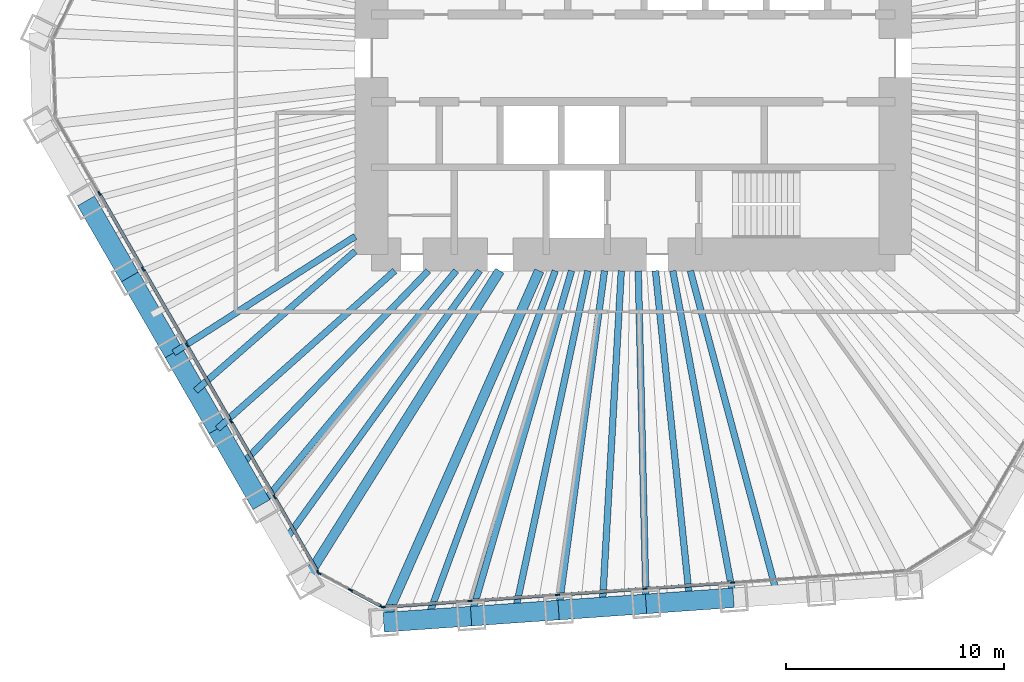
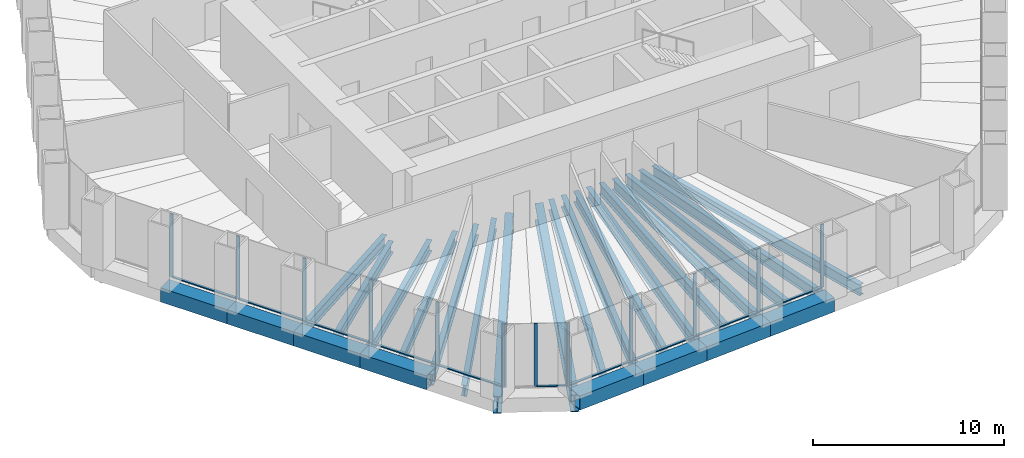
# One storey, part 2 of 13: 25 beams, 24 members, 3 elements without a shape of their own.
"""IFC4 building model written with IfcOpenShell, lengths in metres."""

from ifc_helpers import new_model, si_unit, direction, frame, origin, origin_2d, place, context, subcontext, project, spatial, rectangle, hollow_rectangle, i_section, extrude, material, material_profile, profile_set, type_object, element, aggregate, save


model = new_model("IFC4")

# Units and contexts
model_context = context("Model", 3, precision=1e-05, world=origin(), true_north=direction((0.0, 1.0)))
body_context = subcontext(model_context, "Body", "Model", "MODEL_VIEW")
ifc_project = project(units=[si_unit("LENGTHUNIT", "METRE"), si_unit("AREAUNIT", "SQUARE_METRE"), si_unit("VOLUMEUNIT", "CUBIC_METRE"), si_unit("PLANEANGLEUNIT", "RADIAN"), si_unit("MASSUNIT", "GRAM", prefix="KILO")], contexts=[model_context])

# Site, building, storey
site_placement = place(None, origin())
site = spatial("IfcSite", under=ifc_project, at=site_placement, CompositionType="ELEMENT")
building_placement = place(site_placement, origin())
building = spatial("IfcBuilding", under=site, at=building_placement, Name="Qingtian Harvest Tower", CompositionType="ELEMENT")
storey_placement = place(building_placement, frame((0.0, 0.0, 111.39990234375)))
storey = spatial("IfcBuildingStorey", under=building, at=storey_placement, Name="L22", CompositionType="ELEMENT", Elevation=111.39990234375)

# Beams
ifc_material_1 = material(Name="Steel SM570MC", Category="steel")
ifc_material_profile_1 = material_profile(ifc_material_1, i_section(OverallWidth=0.449951171875, OverallDepth=1.10009765625, WebThickness=0.02197265625, FlangeThickness=0.044921875, at=origin_2d()), Name="H1100x450x22x45")
ifc_profile_set_1 = profile_set([ifc_material_profile_1], Name="Steel SM570MC")
beam_type_1 = type_object("IfcBeamType", Name="Corner floor beam FB8 H1100x450x22x45", PredefinedType="BEAM", material=ifc_profile_set_1)
beam_1_placement = place(storey_placement, frame((-11.445556640625, -25.861328125, -0.719970703125), z_axis=(0.404705702755, 0.914446988161, 0.0), x_axis=(-0.914446988161, 0.404705702755, 0.0)))
element("IfcBeam", 1, at=beam_1_placement, inside=storey, type_object=beam_type_1, Name="Floor beam FB8 S6", PredefinedType="BEAM", context=body_context, shape_type="SweptSolid", body=[
    extrude(i_section(OverallWidth=0.449951171875, OverallDepth=1.10009765625, WebThickness=0.02197265625, FlangeThickness=0.044921875, at=origin_2d()), origin(), (0.0, 0.0, 1.0), 17.61865234375),
])
beam_2_placement = place(storey_placement, frame((-15.039794921875, -23.950439453125, -0.719970703125), z_axis=(0.531797274443, 0.846871689747, 0.0), x_axis=(-0.846871689747, 0.531797274443, 0.0)))
element("IfcBeam", 2, at=beam_2_placement, inside=storey, type_object=beam_type_1, Name="Floor beam FB8 SW0", PredefinedType="BEAM", context=body_context, shape_type="SweptSolid", body=[
    extrude(i_section(OverallWidth=0.449951171875, OverallDepth=1.10009765625, WebThickness=0.02197265625, FlangeThickness=0.044921875, at=origin_2d()), origin(), (0.0, 0.0, 1.0), 16.76806640625),
])
ifc_material_2 = material(Name="Steel SN490B", Category="steel")
ifc_material_profile_2 = material_profile(ifc_material_2, i_section(OverallWidth=0.300048828125, OverallDepth=0.75, WebThickness=0.013916015625, FlangeThickness=0.02490234375, at=origin_2d()), Name="H750x300x14x25")
ifc_profile_set_2 = profile_set([ifc_material_profile_2], Name="Steel SN490B")
beam_type_2 = type_object("IfcBeamType", Name="Floor beam FB12 H750x300x14x25", PredefinedType="BEAM", material=ifc_profile_set_2)
beam_3_placement = place(storey_placement, frame((-7.436279296875, -25.5810546875, -0.544921875), z_axis=(0.279142362954, 0.960249728562, 0.0), x_axis=(-0.960249728562, 0.279142362954, 0.0)))
element("IfcBeam", 3, at=beam_3_placement, inside=storey, type_object=beam_type_2, Name="Floor beam FB12 S5", PredefinedType="BEAM", context=body_context, shape_type="SweptSolid", body=[
    extrude(i_section(OverallWidth=0.300048828125, OverallDepth=0.75, WebThickness=0.013916015625, FlangeThickness=0.02490234375, at=origin_2d()), origin(), (0.0, 0.0, 1.0), 16.486328125),
])
ifc_material_3 = material(Name="Steel SN490B", Category="steel")
ifc_material_profile_3 = material_profile(ifc_material_3, i_section(OverallWidth=0.300048828125, OverallDepth=0.699951171875, WebThickness=0.012939453125, FlangeThickness=0.02392578125, at=origin_2d()), Name="H700x300x13x24")
ifc_profile_set_3 = profile_set([ifc_material_profile_3], Name="Steel SN490B")
beam_type_3 = type_object("IfcBeamType", Name="Floor beam FB2 H700x300x13x24", PredefinedType="BEAM", material=ifc_profile_set_3)
beam_4_placement = place(storey_placement, frame((4.591552734375, -24.739990234375, -0.52001953125), z_axis=(-0.182473442032, 0.983210782565, 0.0), x_axis=(-0.983210782565, -0.182473442032, 0.0)))
element("IfcBeam", 4, at=beam_4_placement, inside=storey, type_object=beam_type_3, Name="Floor beam FB2 S2", PredefinedType="BEAM", context=body_context, shape_type="SweptSolid", body=[
    extrude(i_section(OverallWidth=0.300048828125, OverallDepth=0.699951171875, WebThickness=0.012939453125, FlangeThickness=0.02392578125, at=origin_2d()), origin(), (0.0, 0.0, 1.0), 15.245849609375),
])
beam_5_placement = place(storey_placement, frame((0.582275390625, -25.020263671875, -0.52001953125), z_axis=(-0.023272189962, 0.999729165912, 0.0), x_axis=(-0.999729165912, -0.023272189962, 0.0)))
element("IfcBeam", 5, at=beam_5_placement, inside=storey, type_object=beam_type_3, Name="Floor beam FB2 S3", PredefinedType="BEAM", context=body_context, shape_type="SweptSolid", body=[
    extrude(i_section(OverallWidth=0.300048828125, OverallDepth=0.699951171875, WebThickness=0.012939453125, FlangeThickness=0.02392578125, at=origin_2d()), origin(), (0.0, 0.0, 1.0), 15.2744140625),
])
beam_6_placement = place(storey_placement, frame((-3.427001953125, -25.30078125, -0.52001953125), z_axis=(0.134230066005, 0.990950195207, 0.0), x_axis=(-0.990950195207, 0.134230066005, 0.0)))
element("IfcBeam", 6, at=beam_6_placement, inside=storey, type_object=beam_type_3, Name="Floor beam FB2 S4", PredefinedType="BEAM", context=body_context, shape_type="SweptSolid", body=[
    extrude(i_section(OverallWidth=0.300048828125, OverallDepth=0.699951171875, WebThickness=0.012939453125, FlangeThickness=0.02392578125, at=origin_2d()), origin(), (0.0, 0.0, 1.0), 15.69287109375),
])
beam_7_placement = place(storey_placement, frame((-17.04931640625, -20.4697265625, -0.52001953125), z_axis=(0.639988150605, 0.768384778015, 0.0), x_axis=(-0.768384778015, 0.639988150605, 0.0)))
element("IfcBeam", 7, at=beam_7_placement, inside=storey, type_object=beam_type_3, Name="Floor beam FB2 SW1", PredefinedType="BEAM", context=body_context, shape_type="SweptSolid", body=[
    extrude(i_section(OverallWidth=0.300048828125, OverallDepth=0.699951171875, WebThickness=0.012939453125, FlangeThickness=0.02392578125, at=origin_2d()), origin(), (0.0, 0.0, 1.0), 13.950927734375),
])
beam_8_placement = place(storey_placement, frame((-19.058837890625, -16.989013671875, -0.52001953125), z_axis=(0.746483707908, 0.665403692376, 0.0), x_axis=(-0.665403692376, 0.746483707908, 0.0)))
element("IfcBeam", 8, at=beam_8_placement, inside=storey, type_object=beam_type_3, Name="Floor beam FB2 SW2", PredefinedType="BEAM", context=body_context, shape_type="SweptSolid", body=[
    extrude(i_section(OverallWidth=0.300048828125, OverallDepth=0.699951171875, WebThickness=0.012939453125, FlangeThickness=0.02392578125, at=origin_2d()), origin(), (0.0, 0.0, 1.0), 10.879150390625),
])
beam_9_placement = place(storey_placement, frame((-21.068359375, -13.508544921875, -0.52001953125), z_axis=(0.841823295753, 0.539753220211, 0.0), x_axis=(-0.539753220211, 0.841823295753, 0.0)))
element("IfcBeam", 9, at=beam_9_placement, inside=storey, type_object=beam_type_3, Name="Floor beam FB2 SW3", PredefinedType="BEAM", context=body_context, shape_type="SweptSolid", body=[
    extrude(i_section(OverallWidth=0.300048828125, OverallDepth=0.699951171875, WebThickness=0.012939453125, FlangeThickness=0.02392578125, at=origin_2d()), origin(), (0.0, 0.0, 1.0), 9.88134765625),
])
ifc_material_4 = material(Name="Steel SN490B", Category="steel")
ifc_material_profile_4 = material_profile(ifc_material_4, i_section(OverallWidth=0.300048828125, OverallDepth=0.699951171875, WebThickness=0.012939453125, FlangeThickness=0.02392578125, at=origin_2d()), Name="H700x300x13x24")
ifc_profile_set_4 = profile_set([ifc_material_profile_4], Name="Steel SN490B")
beam_type_4 = type_object("IfcBeamType", Name="Floor joist J2 H700x300x13x24", PredefinedType="JOIST", material=ifc_profile_set_4)
beam_10_placement = place(storey_placement, frame((6.59619140625, -24.599853515625, -0.52001953125), z_axis=(-0.258996688759, 0.965878209306, 0.0), x_axis=(-0.965878209306, -0.258996688759, 0.0)))
element("IfcBeam", 10, at=beam_10_placement, inside=storey, type_object=beam_type_4, Name="Floor joist J2 S1", PredefinedType="JOIST", context=body_context, shape_type="SweptSolid", body=[
    extrude(i_section(OverallWidth=0.300048828125, OverallDepth=0.699951171875, WebThickness=0.012939453125, FlangeThickness=0.02392578125, at=origin_2d()), origin(), (0.0, 0.0, 1.0), 15.37451171875),
])
beam_11_placement = place(storey_placement, frame((2.5869140625, -24.880126953125, -0.52001953125), z_axis=(-0.103423163361, 0.994637446148, 0.0), x_axis=(-0.994637446148, -0.103423163361, 0.0)))
element("IfcBeam", 11, at=beam_11_placement, inside=storey, type_object=beam_type_4, Name="Floor joist J2 S2", PredefinedType="JOIST", context=body_context, shape_type="SweptSolid", body=[
    extrude(i_section(OverallWidth=0.300048828125, OverallDepth=0.699951171875, WebThickness=0.012939453125, FlangeThickness=0.02392578125, at=origin_2d()), origin(), (0.0, 0.0, 1.0), 15.211669921875),
])
beam_12_placement = place(storey_placement, frame((-1.42236328125, -25.160400390625, -0.52001953125), z_axis=(0.05643626267, 0.998406204035, 0.0), x_axis=(-0.998406204035, 0.05643626267, 0.0)))
element("IfcBeam", 12, at=beam_12_placement, inside=storey, type_object=beam_type_4, Name="Floor joist J2 S3", PredefinedType="JOIST", context=body_context, shape_type="SweptSolid", body=[
    extrude(i_section(OverallWidth=0.300048828125, OverallDepth=0.699951171875, WebThickness=0.012939453125, FlangeThickness=0.02392578125, at=origin_2d()), origin(), (0.0, 0.0, 1.0), 15.43505859375),
])
beam_13_placement = place(storey_placement, frame((-5.431640625, -25.44091796875, -0.52001953125), z_axis=(0.208799533611, 0.977958462699, 0.0), x_axis=(-0.977958462699, 0.208799533611, 0.0)))
element("IfcBeam", 13, at=beam_13_placement, inside=storey, type_object=beam_type_4, Name="Floor joist J2 S4", PredefinedType="JOIST", context=body_context, shape_type="SweptSolid", body=[
    extrude(i_section(OverallWidth=0.300048828125, OverallDepth=0.699951171875, WebThickness=0.012939453125, FlangeThickness=0.02392578125, at=origin_2d()), origin(), (0.0, 0.0, 1.0), 16.044677734375),
])
beam_14_placement = place(storey_placement, frame((-9.44091796875, -25.72119140625, -0.52001953125), z_axis=(0.344563279886, 0.938763093732, 0.0), x_axis=(-0.938763093732, 0.344563279886, 0.0)))
element("IfcBeam", 14, at=beam_14_placement, inside=storey, type_object=beam_type_4, Name="Floor joist J2 S5", PredefinedType="JOIST", context=body_context, shape_type="SweptSolid", body=[
    extrude(i_section(OverallWidth=0.300048828125, OverallDepth=0.699951171875, WebThickness=0.012939453125, FlangeThickness=0.02392578125, at=origin_2d()), origin(), (0.0, 0.0, 1.0), 17.012939453125),
])
beam_15_placement = place(storey_placement, frame((-16.04443359375, -22.2099609375, -0.52001953125), z_axis=(0.585581016658, 0.810613886465, 0.0), x_axis=(-0.810613886465, 0.585581016658, 0.0)))
element("IfcBeam", 15, at=beam_15_placement, inside=storey, type_object=beam_type_4, Name="Floor joist J2 SW0", PredefinedType="JOIST", context=body_context, shape_type="SweptSolid", body=[
    extrude(i_section(OverallWidth=0.300048828125, OverallDepth=0.699951171875, WebThickness=0.012939453125, FlangeThickness=0.02392578125, at=origin_2d()), origin(), (0.0, 0.0, 1.0), 15.37109375),
])
beam_16_placement = place(storey_placement, frame((-18.053955078125, -18.7294921875, -0.52001953125), z_axis=(0.693999346894, 0.719975629108, 0.0), x_axis=(-0.719975629108, 0.693999346894, 0.0)))
element("IfcBeam", 16, at=beam_16_placement, inside=storey, type_object=beam_type_4, Name="Floor joist J2 SW1", PredefinedType="JOIST", context=body_context, shape_type="SweptSolid", body=[
    extrude(i_section(OverallWidth=0.300048828125, OverallDepth=0.699951171875, WebThickness=0.012939453125, FlangeThickness=0.02392578125, at=origin_2d()), origin(), (0.0, 0.0, 1.0), 12.471923828125),
])
beam_17_placement = place(storey_placement, frame((-20.063720703125, -15.248779296875, -0.52001953125), z_axis=(0.752618713562, 0.658456583228, 0.0), x_axis=(-0.658456583228, 0.752618713562, 0.0)))
element("IfcBeam", 17, at=beam_17_placement, inside=storey, type_object=beam_type_4, Name="Floor joist J2 SW2", PredefinedType="JOIST", context=body_context, shape_type="SweptSolid", body=[
    extrude(i_section(OverallWidth=0.300048828125, OverallDepth=0.699951171875, WebThickness=0.012939453125, FlangeThickness=0.02392578125, at=origin_2d()), origin(), (0.0, 0.0, 1.0), 9.7177734375),
])

# Curtain wall, members
ifc_material_5 = material(Name="Bronze-anodised aluminium curtain wall", Category="aluminium")
curtain_wall_type = type_object("IfcCurtainWallType", Name="Curtain wall CW4 office", PredefinedType="USERDEFINED", material=ifc_material_5)
curtain_wall_1_placement = place(storey_placement, origin())
curtain_wall_1 = element("IfcCurtainWall", 18, at=curtain_wall_1_placement, inside=storey, type_object=curtain_wall_type, Name="Curtain wall CW4 L22 S0-5", ObjectType="RECESSED CURTAIN WALL", PredefinedType="USERDEFINED")
ifc_material_6 = material(Name="Bronze-anodised aluminium mullion", Category="aluminium")
ifc_material_profile_5 = material_profile(ifc_material_6, rectangle(XDim=0.06494140625, YDim=0.199951171875, at=origin_2d()), Name="AL 65x200")
ifc_profile_set_5 = profile_set([ifc_material_profile_5], Name="Bronze-anodised aluminium mullion")
member_type_1 = type_object("IfcMemberType", Name="Mullion CWM 65x200", PredefinedType="MULLION", material=ifc_profile_set_5)
member_1_placement = place(storey_placement, frame((4.542724609375, -24.041748046875, 0.0), z_axis=(0.0, 0.0, 1.0), x_axis=(0.069756473744, -0.99756405026, 0.0)))
member_1 = element("IfcMember", 19, at=member_1_placement, type_object=member_type_1, Name="CW4 mullion 3", PredefinedType="MULLION", context=body_context, shape_type="SweptSolid", body=[
    extrude(rectangle(XDim=0.06494140625, YDim=0.199951171875, at=origin_2d()), origin(), (0.0, 0.0, 1.0), 4.030029296875),
])
member_2_placement = place(storey_placement, frame((0.533447265625, -24.322021484375, 0.0), z_axis=(0.0, 0.0, 1.0), x_axis=(0.069756473744, -0.99756405026, 0.0)))
member_2 = element("IfcMember", 20, at=member_2_placement, type_object=member_type_1, Name="CW4 mullion 4", PredefinedType="MULLION", context=body_context, shape_type="SweptSolid", body=[
    extrude(rectangle(XDim=0.06494140625, YDim=0.199951171875, at=origin_2d()), origin(), (0.0, 0.0, 1.0), 4.030029296875),
])
member_3_placement = place(storey_placement, frame((-3.475830078125, -24.602294921875, 0.0), z_axis=(0.0, 0.0, 1.0), x_axis=(0.069756473744, -0.99756405026, 0.0)))
member_3 = element("IfcMember", 21, at=member_3_placement, type_object=member_type_1, Name="CW4 mullion 5", PredefinedType="MULLION", context=body_context, shape_type="SweptSolid", body=[
    extrude(rectangle(XDim=0.06494140625, YDim=0.199951171875, at=origin_2d()), origin(), (0.0, 0.0, 1.0), 4.030029296875),
])
member_4_placement = place(storey_placement, frame((-7.485107421875, -24.8828125, 0.0), z_axis=(0.0, 0.0, 1.0), x_axis=(0.069756473744, -0.99756405026, 0.0)))
member_4 = element("IfcMember", 22, at=member_4_placement, type_object=member_type_1, Name="CW4 mullion 6", PredefinedType="MULLION", context=body_context, shape_type="SweptSolid", body=[
    extrude(rectangle(XDim=0.06494140625, YDim=0.199951171875, at=origin_2d()), origin(), (0.0, 0.0, 1.0), 4.030029296875),
])
member_5_placement = place(storey_placement, frame((-11.4619140625, -25.160888671875, 0.0), z_axis=(0.0, 0.0, 1.0), x_axis=(0.069756473744, -0.99756405026, 0.0)))
member_5 = element("IfcMember", 23, at=member_5_placement, type_object=member_type_1, Name="CW4 mullion 7", PredefinedType="MULLION", context=body_context, shape_type="SweptSolid", body=[
    extrude(rectangle(XDim=0.06494140625, YDim=0.199951171875, at=origin_2d()), origin(), (0.0, 0.0, 1.0), 4.030029296875),
])

curtain_wall_2_placement = place(storey_placement, origin())
curtain_wall_2 = element("IfcCurtainWall", 24, at=curtain_wall_2_placement, inside=storey, type_object=curtain_wall_type, Name="Curtain wall CW4 L22 SC", ObjectType="RECESSED CURTAIN WALL", PredefinedType="USERDEFINED")
member_6_placement = place(storey_placement, frame((-11.523193359375, -25.14794921875, 0.0), z_axis=(0.0, 0.0, 1.0), x_axis=(-0.469471562786, -0.882947592859, 0.0)))
member_6 = element("IfcMember", 25, at=member_6_placement, type_object=member_type_1, Name="CW4 mullion 1", PredefinedType="MULLION", context=body_context, shape_type="SweptSolid", body=[
    extrude(rectangle(XDim=0.06494140625, YDim=0.199951171875, at=origin_2d()), origin(), (0.0, 0.0, 1.0), 4.030029296875),
])
member_7_placement = place(storey_placement, frame((-12.964111328125, -24.3818359375, 0.0), z_axis=(0.0, 0.0, 1.0), x_axis=(-0.469471562786, -0.882947592859, 0.0)))
member_7 = element("IfcMember", 26, at=member_7_placement, type_object=member_type_1, Name="CW4 mullion 2", PredefinedType="MULLION", context=body_context, shape_type="SweptSolid", body=[
    extrude(rectangle(XDim=0.06494140625, YDim=0.199951171875, at=origin_2d()), origin(), (0.0, 0.0, 1.0), 4.030029296875),
])
member_8_placement = place(storey_placement, frame((-14.40478515625, -23.61572265625, 0.0), z_axis=(0.0, 0.0, 1.0), x_axis=(-0.469471562786, -0.882947592859, 0.0)))
member_8 = element("IfcMember", 27, at=member_8_placement, type_object=member_type_1, Name="CW4 mullion 3", PredefinedType="MULLION", context=body_context, shape_type="SweptSolid", body=[
    extrude(rectangle(XDim=0.06494140625, YDim=0.199951171875, at=origin_2d()), origin(), (0.0, 0.0, 1.0), 4.030029296875),
])

curtain_wall_3_placement = place(storey_placement, origin())
curtain_wall_3 = element("IfcCurtainWall", 28, at=curtain_wall_3_placement, inside=storey, type_object=curtain_wall_type, Name="Curtain wall CW4 L22 SW0-5", ObjectType="RECESSED CURTAIN WALL", PredefinedType="USERDEFINED")
member_9_placement = place(storey_placement, frame((-14.44970703125, -23.572265625, 0.0), z_axis=(0.0, 0.0, 1.0), x_axis=(-0.866025403784, -0.5, 0.0)))
member_9 = element("IfcMember", 29, at=member_9_placement, type_object=member_type_1, Name="CW4 mullion 1", PredefinedType="MULLION", context=body_context, shape_type="SweptSolid", body=[
    extrude(rectangle(XDim=0.06494140625, YDim=0.199951171875, at=origin_2d()), origin(), (0.0, 0.0, 1.0), 4.030029296875),
])
member_10_placement = place(storey_placement, frame((-16.443115234375, -20.11962890625, 0.0), z_axis=(0.0, 0.0, 1.0), x_axis=(-0.866025403784, -0.5, 0.0)))
member_10 = element("IfcMember", 30, at=member_10_placement, type_object=member_type_1, Name="CW4 mullion 2", PredefinedType="MULLION", context=body_context, shape_type="SweptSolid", body=[
    extrude(rectangle(XDim=0.06494140625, YDim=0.199951171875, at=origin_2d()), origin(), (0.0, 0.0, 1.0), 4.030029296875),
])
member_11_placement = place(storey_placement, frame((-18.45263671875, -16.63916015625, 0.0), z_axis=(0.0, 0.0, 1.0), x_axis=(-0.866025403784, -0.5, 0.0)))
member_11 = element("IfcMember", 31, at=member_11_placement, type_object=member_type_1, Name="CW4 mullion 3", PredefinedType="MULLION", context=body_context, shape_type="SweptSolid", body=[
    extrude(rectangle(XDim=0.06494140625, YDim=0.199951171875, at=origin_2d()), origin(), (0.0, 0.0, 1.0), 4.030029296875),
])
member_12_placement = place(storey_placement, frame((-20.462158203125, -13.158447265625, 0.0), z_axis=(0.0, 0.0, 1.0), x_axis=(-0.866025403784, -0.5, 0.0)))
member_12 = element("IfcMember", 32, at=member_12_placement, type_object=member_type_1, Name="CW4 mullion 4", PredefinedType="MULLION", context=body_context, shape_type="SweptSolid", body=[
    extrude(rectangle(XDim=0.06494140625, YDim=0.199951171875, at=origin_2d()), origin(), (0.0, 0.0, 1.0), 4.030029296875),
])
member_13_placement = place(storey_placement, frame((-22.4716796875, -9.677978515625, 0.0), z_axis=(0.0, 0.0, 1.0), x_axis=(-0.866025403784, -0.5, 0.0)))
member_13 = element("IfcMember", 33, at=member_13_placement, type_object=member_type_1, Name="CW4 mullion 5", PredefinedType="MULLION", context=body_context, shape_type="SweptSolid", body=[
    extrude(rectangle(XDim=0.06494140625, YDim=0.199951171875, at=origin_2d()), origin(), (0.0, 0.0, 1.0), 4.030029296875),
])
member_14_placement = place(storey_placement, frame((-24.481201171875, -6.197265625, 0.0), z_axis=(0.0, 0.0, 1.0), x_axis=(-0.866025403784, -0.5, 0.0)))
member_14 = element("IfcMember", 34, at=member_14_placement, type_object=member_type_1, Name="CW4 mullion 6", PredefinedType="MULLION", context=body_context, shape_type="SweptSolid", body=[
    extrude(rectangle(XDim=0.06494140625, YDim=0.199951171875, at=origin_2d()), origin(), (0.0, 0.0, 1.0), 4.030029296875),
])

# Beams
ifc_material_7 = material(Name="Steel SM570MC", Category="steel")
ifc_material_profile_6 = material_profile(ifc_material_7, hollow_rectangle(XDim=0.89990234375, YDim=0.89990234375, WallThickness=0.050048828125, at=origin_2d()), Name="BOX900x900x50")
ifc_profile_set_6 = profile_set([ifc_material_profile_6], Name="Steel SM570MC")
beam_type_5 = type_object("IfcBeamType", Name="Transition spandrel SB6 BOX900x900x50", PredefinedType="SPANDREL", material=ifc_profile_set_6)
for number, where, z_axis, x_axis, name in (
    (35, (4.591552734375, -24.739990234375, -0.449951171875), (-0.997565479251, -0.069736035208, 0.0), (0.069736035208, -0.997565479251, 0.0), "Spandrel SB6 S2"),
    (36, (0.582275390625, -25.020263671875, -0.449951171875), (-0.997561251588, -0.069796485086, 0.0), (0.069796485086, -0.997561251588, 0.0), "Spandrel SB6 S3"),
    (37, (-3.427001953125, -25.30078125, -0.449951171875), (-0.997565479251, -0.069736035208, 0.0), (0.069736035208, -0.997565479251, 0.0), "Spandrel SB6 S4"),
    (38, (-7.436279296875, -25.5810546875, -0.449951171875), (-0.997565479251, -0.069736035208, 0.0), (0.069736035208, -0.997565479251, 0.0), "Spandrel SB6 S5"),
    (39, (-17.04931640625, -20.4697265625, -0.449951171875), (-0.499987116613, 0.866032841884, 0.0), (-0.866032841884, -0.499987116613, 0.0), "Spandrel SB6 SW1"),
    (40, (-19.058837890625, -16.989013671875, -0.449951171875), (-0.500013420409, 0.866017655369, 0.0), (-0.866017655369, -0.500013420409, 0.0), "Spandrel SB6 SW2"),
    (41, (-21.068359375, -13.508544921875, -0.449951171875), (-0.499987116613, 0.866032841884, 0.0), (-0.866032841884, -0.499987116613, 0.0), "Spandrel SB6 SW3"),
    (42, (-23.077880859375, -10.02783203125, -0.449951171875), (-0.499987116613, 0.866032841884, 0.0), (-0.866032841884, -0.499987116613, 0.0), "Spandrel SB6 SW4"),
):
    element("IfcBeam", number, at=place(storey_placement, frame(where, z_axis=z_axis, x_axis=x_axis)), inside=storey, type_object=beam_type_5, Name=name, PredefinedType="SPANDREL", context=body_context, shape_type="SweptSolid", body=[
        extrude(hollow_rectangle(XDim=0.89990234375, YDim=0.89990234375, WallThickness=0.050048828125, at=origin_2d()), origin(), (0.0, 0.0, 1.0), 4.01904296875),
    ])

# Member
ifc_material_8 = material(Name="Bronze-anodised aluminium transom", Category="aluminium")
ifc_material_profile_7 = material_profile(ifc_material_8, rectangle(XDim=0.14990234375, YDim=0.06494140625, at=origin_2d()), Name="AL 65x150")
ifc_profile_set_7 = profile_set([ifc_material_profile_7], Name="Bronze-anodised aluminium transom")
member_type_2 = type_object("IfcMemberType", Name="Transom CWT 65x150", PredefinedType="USERDEFINED", material=ifc_profile_set_7)
member_15_placement = place(storey_placement, frame((4.51025390625, -24.0439453125, 0.03271484375), z_axis=(-0.997562922571, -0.069772598571, 0.0), x_axis=(0.069772598571, -0.997562922571, 0.0)))
member_15 = element("IfcMember", 43, at=member_15_placement, type_object=member_type_2, Name="CW4 transom 3.1", ObjectType="TRANSOM", PredefinedType="USERDEFINED", context=body_context, shape_type="SweptSolid", body=[
    extrude(rectangle(XDim=0.14990234375, YDim=0.06494140625, at=origin_2d()), origin(), (0.0, 0.0, 1.0), 3.953857421875),
])

member_16_placement = place(storey_placement, frame((0.5009765625, -24.32421875, 0.03271484375), z_axis=(-0.997562922571, -0.069772598571, 0.0), x_axis=(0.069772598571, -0.997562922571, 0.0)))
member_16 = element("IfcMember", 44, at=member_16_placement, type_object=member_type_2, Name="CW4 transom 4.1", ObjectType="TRANSOM", PredefinedType="USERDEFINED", context=body_context, shape_type="SweptSolid", body=[
    extrude(rectangle(XDim=0.14990234375, YDim=0.06494140625, at=origin_2d()), origin(), (0.0, 0.0, 1.0), 3.953857421875),
])

member_17_placement = place(storey_placement, frame((-3.50830078125, -24.604736328125, 0.03271484375), z_axis=(-0.997567218353, -0.069711153102, 0.0), x_axis=(0.069711153102, -0.997567218353, 0.0)))
member_17 = element("IfcMember", 45, at=member_17_placement, type_object=member_type_2, Name="CW4 transom 5.1", ObjectType="TRANSOM", PredefinedType="USERDEFINED", context=body_context, shape_type="SweptSolid", body=[
    extrude(rectangle(XDim=0.14990234375, YDim=0.06494140625, at=origin_2d()), origin(), (0.0, 0.0, 1.0), 3.953857421875),
])

member_18_placement = place(storey_placement, frame((-7.517578125, -24.885009765625, 0.03271484375), z_axis=(-0.997561915105, -0.069787001175, 0.0), x_axis=(0.069787001175, -0.997561915105, 0.0)))
member_18 = element("IfcMember", 46, at=member_18_placement, type_object=member_type_2, Name="CW4 transom 6.1", ObjectType="TRANSOM", PredefinedType="USERDEFINED", context=body_context, shape_type="SweptSolid", body=[
    extrude(rectangle(XDim=0.14990234375, YDim=0.06494140625, at=origin_2d()), origin(), (0.0, 0.0, 1.0), 3.921630859375),
])

aggregate(curtain_wall_1, [member_1, member_2, member_3, member_4, member_5, member_15, member_16, member_17, member_18])

member_19_placement = place(storey_placement, frame((-11.5517578125, -25.132568359375, 0.03271484375), z_axis=(-0.882960338349, 0.46944759122, 0.0), x_axis=(-0.46944759122, -0.882960338349, 0.0)))
member_19 = element("IfcMember", 47, at=member_19_placement, type_object=member_type_2, Name="CW4 transom 1.1", ObjectType="TRANSOM", PredefinedType="USERDEFINED", context=body_context, shape_type="SweptSolid", body=[
    extrude(rectangle(XDim=0.14990234375, YDim=0.06494140625, at=origin_2d()), origin(), (0.0, 0.0, 1.0), 1.56689453125),
])

aggregate(curtain_wall_2, [member_6, member_7, member_8, member_19])

member_20_placement = place(storey_placement, frame((-14.466064453125, -23.5439453125, 0.03271484375), z_axis=(-0.500002696854, 0.866023846749, 0.0), x_axis=(-0.866023846749, -0.500002696854, 0.0)))
member_20 = element("IfcMember", 48, at=member_20_placement, type_object=member_type_2, Name="CW4 transom 1.1", ObjectType="TRANSOM", PredefinedType="USERDEFINED", context=body_context, shape_type="SweptSolid", body=[
    extrude(rectangle(XDim=0.14990234375, YDim=0.06494140625, at=origin_2d()), origin(), (0.0, 0.0, 1.0), 3.92138671875),
])

member_21_placement = place(storey_placement, frame((-16.459228515625, -20.091552734375, 0.03271484375), z_axis=(-0.500003941941, 0.866023127892, 0.0), x_axis=(-0.866023127892, -0.500003941941, 0.0)))
member_21 = element("IfcMember", 49, at=member_21_placement, type_object=member_type_2, Name="CW4 transom 2.1", ObjectType="TRANSOM", PredefinedType="USERDEFINED", context=body_context, shape_type="SweptSolid", body=[
    extrude(rectangle(XDim=0.14990234375, YDim=0.06494140625, at=origin_2d()), origin(), (0.0, 0.0, 1.0), 3.9541015625),
])

member_22_placement = place(storey_placement, frame((-18.468994140625, -16.611083984375, 0.03271484375), z_axis=(-0.49993089783, 0.866065296265, 0.0), x_axis=(-0.866065296265, -0.49993089783, 0.0)))
member_22 = element("IfcMember", 50, at=member_22_placement, type_object=member_type_2, Name="CW4 transom 3.1", ObjectType="TRANSOM", PredefinedType="USERDEFINED", context=body_context, shape_type="SweptSolid", body=[
    extrude(rectangle(XDim=0.14990234375, YDim=0.06494140625, at=origin_2d()), origin(), (0.0, 0.0, 1.0), 3.9541015625),
])

member_23_placement = place(storey_placement, frame((-20.478515625, -13.13037109375, 0.03271484375), z_axis=(-0.500003941941, 0.866023127892, 0.0), x_axis=(-0.866023127892, -0.500003941941, 0.0)))
member_23 = element("IfcMember", 51, at=member_23_placement, type_object=member_type_2, Name="CW4 transom 4.1", ObjectType="TRANSOM", PredefinedType="USERDEFINED", context=body_context, shape_type="SweptSolid", body=[
    extrude(rectangle(XDim=0.14990234375, YDim=0.06494140625, at=origin_2d()), origin(), (0.0, 0.0, 1.0), 3.9541015625),
])

member_24_placement = place(storey_placement, frame((-22.488037109375, -9.649658203125, 0.03271484375), z_axis=(-0.500003941941, 0.866023127892, 0.0), x_axis=(-0.866023127892, -0.500003941941, 0.0)))
member_24 = element("IfcMember", 52, at=member_24_placement, type_object=member_type_2, Name="CW4 transom 5.1", ObjectType="TRANSOM", PredefinedType="USERDEFINED", context=body_context, shape_type="SweptSolid", body=[
    extrude(rectangle(XDim=0.14990234375, YDim=0.06494140625, at=origin_2d()), origin(), (0.0, 0.0, 1.0), 3.9541015625),
])

aggregate(curtain_wall_3, [member_9, member_10, member_11, member_12, member_13, member_14, member_20, member_21, member_22, member_23, member_24])

save(model, "model.ifc")
